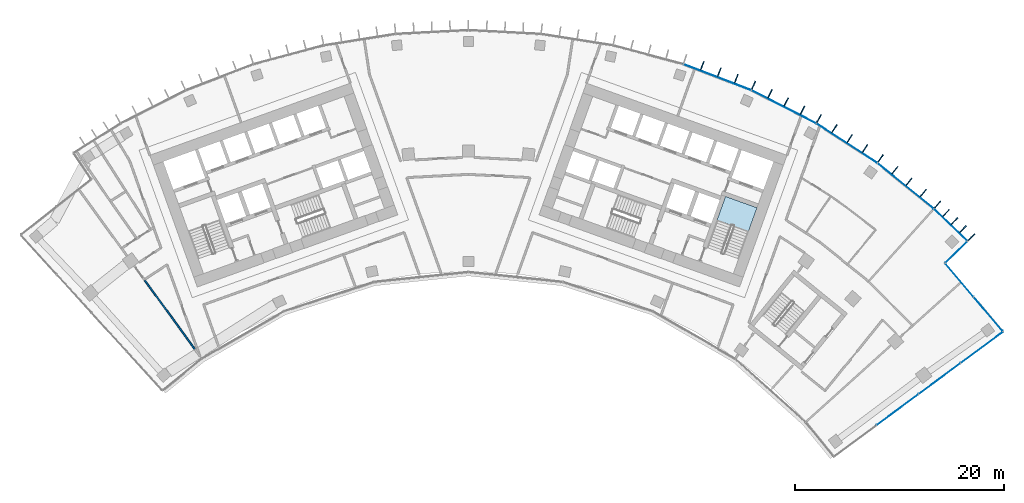
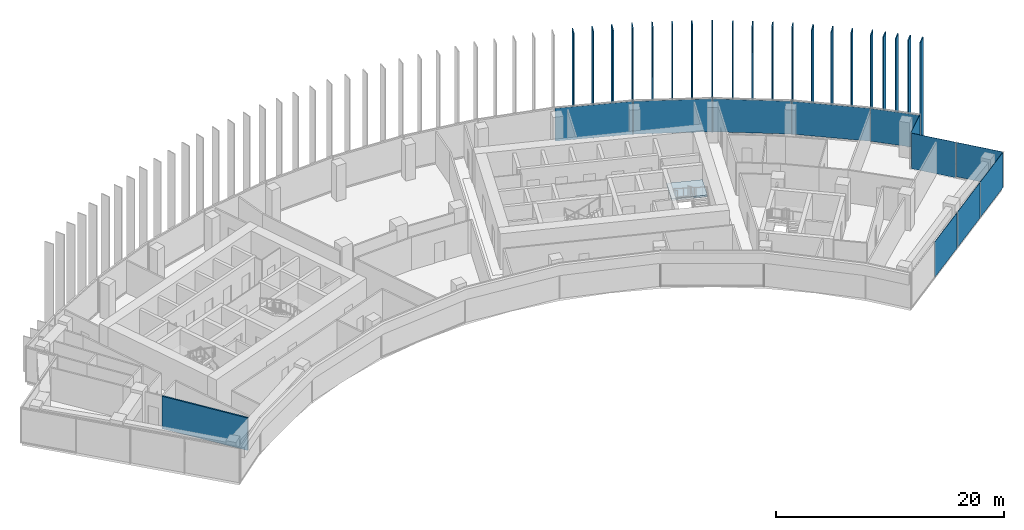
# One storey, part 12 of 19: 31 plates, 1 slab, 1 wall, 5 elements without a shape of their own.
"""IFC4 building model written with IfcOpenShell, lengths in metres."""

import ifcopenshell
import ifcopenshell.guid

model = None  # the IFC model being written
_history = None  # IfcOwnerHistory: only IFC2X3 demands one
_inside = {}  # id of a spatial element -> (the spatial element, [elements in it])
_under = {}  # id of a project, library or spatial element -> (it, [spatial elements below it])
_declared = {}  # id of a project -> (the project, [libraries it declares])
_typed = {}  # id of a type object -> (the type object, [elements of that type])
_made_of = {}  # id of a material, layer set ... -> (it, [elements and type objects made of it])


def new_model(schema):
    """Start an empty IFC model of exactly this schema.

    Asked for "IFC4X3", IfcOpenShell would pick the latest addendum, in which some entities
    have other attributes; the version numbers below select the first issue.
    IFC2X3 requires an IfcOwnerHistory on every rooted entity: one is made here for all.
    """
    global model, _history
    if schema == "IFC4X3":
        model = ifcopenshell.file(schema_version=(4, 3, 0, 0))
    else:
        model = ifcopenshell.file(schema=schema)
    _inside.clear()
    _under.clear()
    _declared.clear()
    _typed.clear()
    _made_of.clear()
    _history = None
    if model.schema == "IFC2X3":
        org = make("IfcOrganization", Name="unknown")
        user = make(
            "IfcPersonAndOrganization",
            ThePerson=make("IfcPerson", FamilyName="unknown"),
            TheOrganization=org,
        )
        app = make(
            "IfcApplication",
            ApplicationDeveloper=org,
            Version="unknown",
            ApplicationFullName="unknown",
            ApplicationIdentifier="unknown",
        )
        _history = make(
            "IfcOwnerHistory",
            OwningUser=user,
            OwningApplication=app,
            ChangeAction="ADDED",
            CreationDate=0,
        )
    return model


def make(cls, **values):
    """One entity of the class cls with the attributes given. An attribute that is None is left unset."""
    return model.create_entity(
        cls, **{name: value for name, value in values.items() if value is not None}
    )


def rooted(cls, **values):
    """An entity with a GlobalId (a new one), such as an element, a storey or a relation."""
    return make(cls, GlobalId=ifcopenshell.guid.new(), OwnerHistory=_history, **values)


def si_unit(unit_type, name, prefix=None):
    """IfcSIUnit, for example si_unit("LENGTHUNIT", "METRE", prefix="MILLI")."""
    return make("IfcSIUnit", UnitType=unit_type, Prefix=prefix, Name=name)


def assignment(units):
    """IfcUnitAssignment: the units of a project."""
    return None if units is None else make("IfcUnitAssignment", Units=units)


def point(xyz):
    """IfcCartesianPoint."""
    return None if xyz is None else make("IfcCartesianPoint", Coordinates=xyz)


def direction(xyz):
    """IfcDirection."""
    return None if xyz is None else make("IfcDirection", DirectionRatios=xyz)


def frame(location, z_axis=None, x_axis=None):
    """IfcAxis2Placement3D, a coordinate frame: its origin and axes. An axis left out is left unset."""
    return make(
        "IfcAxis2Placement3D",
        Location=point(location),
        Axis=direction(z_axis),
        RefDirection=direction(x_axis),
    )


def frame_2d(location, x_axis=None):
    """IfcAxis2Placement2D, a coordinate frame in the plane: its origin and x axis."""
    return make(
        "IfcAxis2Placement2D", Location=point(location), RefDirection=direction(x_axis)
    )


def origin():
    """The frame at (0, 0, 0) with its axes left unset."""
    return frame((0.0, 0.0, 0.0))


def origin_2d():
    """The frame at (0, 0) in the plane with its x axis left unset."""
    return frame_2d((0.0, 0.0))


def place(relative_to, where):
    """IfcLocalPlacement: puts the frame where relative to a parent placement (None: the world)."""
    return make(
        "IfcLocalPlacement", PlacementRelTo=relative_to, RelativePlacement=where
    )


def context(
    kind, dimensions, precision=None, world=None, true_north=None, identifier=None
):
    """IfcGeometricRepresentationContext, for example the 3D "Model" context."""
    return make(
        "IfcGeometricRepresentationContext",
        ContextIdentifier=identifier,
        ContextType=kind,
        CoordinateSpaceDimension=dimensions,
        Precision=precision,
        WorldCoordinateSystem=world,
        TrueNorth=true_north,
    )


def subcontext(parent, identifier, kind, view, scale=None):
    """IfcGeometricRepresentationSubContext, for example "Body" below "Model"."""
    return make(
        "IfcGeometricRepresentationSubContext",
        ContextIdentifier=identifier,
        ContextType=kind,
        ParentContext=parent,
        TargetScale=scale,
        TargetView=view,
    )


def project(units=None, contexts=None):
    """IfcProject with its units and contexts."""
    return rooted(
        "IfcProject",
        Name="project",
        RepresentationContexts=contexts,
        UnitsInContext=assignment(units),
    )


def spatial(cls, under=None, at=None, **own):
    """A site, building, storey or space (cls), placed at a placement, below another one or the project."""
    s = rooted(cls, ObjectPlacement=at, **own)
    if under is not None:
        _under.setdefault(under.id(), (under, []))[1].append(s)
    return s


def polyline(points):
    """IfcPolyline through the points."""
    return make("IfcPolyline", Points=[point(p) for p in points])


def profile(cls, at=None, kind="AREA", **sizes):
    """A parametric profile (cls). Its sizes go by their IFC names, for example OverallWidth=200.0."""
    return make(cls, ProfileType=kind, Position=at, **sizes)


def rectangle(**sizes):
    """IfcRectangleProfileDef."""
    return profile("IfcRectangleProfileDef", **sizes)


def outline(outer, holes=None, kind="AREA"):
    """IfcArbitraryClosedProfileDef: a profile drawn as a closed curve; with holes, ...WithVoids."""
    if holes is None:
        return make("IfcArbitraryClosedProfileDef", ProfileType=kind, OuterCurve=outer)
    return make(
        "IfcArbitraryProfileDefWithVoids",
        ProfileType=kind,
        OuterCurve=outer,
        InnerCurves=holes,
    )


def extrude(swept, where, along, depth):
    """IfcExtrudedAreaSolid: the profile swept, set in the frame where, extruded along a direction by depth."""
    return make(
        "IfcExtrudedAreaSolid",
        SweptArea=swept,
        Position=where,
        ExtrudedDirection=direction(along),
        Depth=depth,
    )


def shape(context_of_items, identifier, shape_type, items):
    """IfcShapeRepresentation: the items that make up one representation, for example the "Body"."""
    return make(
        "IfcShapeRepresentation",
        ContextOfItems=context_of_items,
        RepresentationIdentifier=identifier,
        RepresentationType=shape_type,
        Items=items,
    )


def material(Name=None, Category=None):
    """IfcMaterial."""
    return make("IfcMaterial", Name=Name, Category=Category)


def layer(
    of_material, thickness, ventilated=None, Name=None, Category=None, Priority=None
):
    """IfcMaterialLayer: one layer of a wall or slab, of a material (None: an air gap)."""
    return make(
        "IfcMaterialLayer",
        Material=of_material,
        LayerThickness=thickness,
        IsVentilated=ventilated,
        Name=Name,
        Category=Category,
        Priority=Priority,
    )


def layer_set(layers, Name=None):
    """IfcMaterialLayerSet."""
    return make("IfcMaterialLayerSet", MaterialLayers=layers, LayerSetName=Name)


def made_of(thing, what):
    """Note that an element or type object is made of a material, layer set ...; save() writes the relation."""
    if what is not None:
        _made_of.setdefault(what.id(), (what, []))[1].append(thing)
    return thing


def type_object(cls, material=None, **own):
    """A type object (cls), such as IfcWallType, which elements share."""
    return made_of(rooted(cls, **own), material)


def element(
    cls,
    number,
    at=None,
    inside=None,
    cuts=None,
    type_object=None,
    material=None,
    context=None,
    identifier="Body",
    shape_type=None,
    held_by="IfcProductDefinitionShape",
    body=None,
    shapes=None,
    **own,
):
    """One element of the class cls, such as IfcWall. Its Tag is "e" and its number.

    at: its placement. inside: the storey or other place that contains it. cuts: it is an
    opening in that element (IfcRelVoidsElement). A single representation is given by context,
    identifier, shape_type and body (its items); several are given by shapes. held_by: the class
    of the entity that holds the representations. save() writes the other relations.
    """
    e = rooted(cls, Tag="e%d" % number, ObjectPlacement=at, **own)
    if body is not None:
        shapes = [shape(context, identifier, shape_type, body)]
    if shapes is not None:
        e.Representation = make(held_by, Representations=shapes)
    if inside is not None:
        _inside.setdefault(inside.id(), (inside, []))[1].append(e)
    if cuts is not None:
        rooted(
            "IfcRelVoidsElement", RelatingBuildingElement=cuts, RelatedOpeningElement=e
        )
    if type_object is not None:
        _typed.setdefault(type_object.id(), (type_object, []))[1].append(e)
    return made_of(e, material)


def aggregate(whole, parts):
    """IfcRelAggregates: a whole, such as a stair, and the parts it consists of."""
    return rooted("IfcRelAggregates", RelatingObject=whole, RelatedObjects=parts)


def save(model, path):
    """Write the relations noted so far, then the file.

    IfcRelAggregates (storeys below a building ...), IfcRelContainedInSpatialStructure (elements
    in a storey), IfcRelDefinesByType, IfcRelAssociatesMaterial and IfcRelDeclares: one each for
    every whole, place, type object, material and project.
    """
    for whole, parts in _under.values():
        aggregate(whole, parts)
    for where, things in _inside.values():
        rooted(
            "IfcRelContainedInSpatialStructure",
            RelatedElements=things,
            RelatingStructure=where,
        )
    for kind, things in _typed.values():
        rooted("IfcRelDefinesByType", RelatedObjects=things, RelatingType=kind)
    for what, things in _made_of.values():
        rooted("IfcRelAssociatesMaterial", RelatedObjects=things, RelatingMaterial=what)
    for by, libraries in _declared.values():
        rooted("IfcRelDeclares", RelatingContext=by, RelatedDefinitions=libraries)
    model.write(path)


model = new_model("IFC4")

# Units and contexts
model_context = context("Model", 3, precision=1e-05, world=origin(), true_north=direction((0.0, 1.0)))
body_context = subcontext(model_context, "Body", "Model", "MODEL_VIEW")
ifc_project = project(units=[si_unit("LENGTHUNIT", "METRE"), si_unit("AREAUNIT", "SQUARE_METRE"), si_unit("VOLUMEUNIT", "CUBIC_METRE"), si_unit("PLANEANGLEUNIT", "RADIAN"), si_unit("MASSUNIT", "GRAM", prefix="KILO")], contexts=[model_context])

# Site, building, storey
site_placement = place(None, origin())
site = spatial("IfcSite", under=ifc_project, at=site_placement, CompositionType="ELEMENT")
building_placement = place(site_placement, origin())
building = spatial("IfcBuilding", under=site, at=building_placement, Name="Stone Belt Terrace Tower", CompositionType="ELEMENT")
storey_placement = place(building_placement, frame((0.0, 0.0, 235.199951171875)))
storey = spatial("IfcBuildingStorey", under=building, at=storey_placement, Name="L57", CompositionType="ELEMENT", Elevation=235.199951171875)

# Curtain wall, plates
ifc_material_1 = material(Name="Aluminium 6063-T6 anodised frame", Category="aluminium")
ifc_layer_1 = layer(ifc_material_1, 0.14990234375)
ifc_layer_set_1 = layer_set([ifc_layer_1], Name="CW-A unitised convex-face curtain wall")
curtain_wall_type_1 = type_object("IfcCurtainWallType", Name="CW-A unitised convex-face curtain wall", PredefinedType="NOTDEFINED", material=ifc_layer_set_1)
curtain_wall_1_placement = place(storey_placement, origin())
curtain_wall_1 = element("IfcCurtainWall", 1, at=curtain_wall_1_placement, inside=storey, type_object=curtain_wall_type_1, Name="CW-A convex face L57", PredefinedType="NOTDEFINED")
ifc_material_2 = material(Name="Clear double glazed unit")
ifc_layer_2 = layer(ifc_material_2, 0.031982421875)
ifc_layer_set_2 = layer_set([ifc_layer_2], Name="CW-A glass panel 32")
plate_type_1 = type_object("IfcPlateType", Name="CW-A glass panel 32", PredefinedType="CURTAIN_PANEL", material=ifc_layer_set_2)
plate_1_placement = place(storey_placement, frame((46.14599609375, 47.936767578125, 0.14013671875), z_axis=(0.0, 0.0, 1.0), x_axis=(-0.720604393579, 0.693346455933, 0.0)))
plate_1 = element("IfcPlate", 2, at=plate_1_placement, type_object=plate_type_1, Name="CW-A panel 1.1", PredefinedType="CURTAIN_PANEL", context=body_context, shape_type="SweptSolid", body=[
    extrude(rectangle(XDim=4.372314453125, YDim=0.031982421875, at=origin_2d()), origin(), (0.0, 0.0, 1.0), 3.52001953125),
])
plate_2_placement = place(storey_placement, frame((41.839599609375, 51.667724609375, 0.14013671875), z_axis=(0.0, 0.0, 1.0), x_axis=(-0.777145961457, 0.62932039105, 0.0)))
plate_2 = element("IfcPlate", 3, at=plate_2_placement, type_object=plate_type_1, Name="CW-A panel 2.1", PredefinedType="CURTAIN_PANEL", context=body_context, shape_type="SweptSolid", body=[
    extrude(rectangle(XDim=6.90087890625, YDim=0.031982421875, at=origin_2d()), origin(), (0.0, 0.0, 1.0), 3.52001953125),
])
plate_3_placement = place(storey_placement, frame((36.209716796875, 55.758056640625, 0.14013671875), z_axis=(0.0, 0.0, 1.0), x_axis=(-0.838670567945, 0.544639035015, 0.0)))
plate_3 = element("IfcPlate", 4, at=plate_3_placement, type_object=plate_type_1, Name="CW-A panel 3.1", PredefinedType="CURTAIN_PANEL", context=body_context, shape_type="SweptSolid", body=[
    extrude(rectangle(XDim=6.90087890625, YDim=0.031982421875, at=origin_2d()), origin(), (0.0, 0.0, 1.0), 3.52001953125),
])
plate_4_placement = place(storey_placement, frame((30.18310546875, 59.237548828125, 0.14013671875), z_axis=(0.0, 0.0, 1.0), x_axis=(-0.891006524188, 0.45399049974, 0.0)))
plate_4 = element("IfcPlate", 5, at=plate_4_placement, type_object=plate_type_1, Name="CW-A panel 4.1", PredefinedType="CURTAIN_PANEL", context=body_context, shape_type="SweptSolid", body=[
    extrude(rectangle(XDim=6.90087890625, YDim=0.031982421875, at=origin_2d()), origin(), (0.0, 0.0, 1.0), 3.52001953125),
])
plate_5_placement = place(storey_placement, frame((23.82568359375, 62.068115234375, 0.14013671875), z_axis=(0.0, 0.0, 1.0), x_axis=(-0.933580426497, 0.358367949545, 0.0)))
plate_5 = element("IfcPlate", 6, at=plate_5_placement, type_object=plate_type_1, Name="CW-A panel 5.1", PredefinedType="CURTAIN_PANEL", context=body_context, shape_type="SweptSolid", body=[
    extrude(rectangle(XDim=6.90087890625, YDim=0.031982421875, at=origin_2d()), origin(), (0.0, 0.0, 1.0), 3.52001953125),
])
aggregate(curtain_wall_1, [plate_1, plate_2, plate_3, plate_4, plate_5])

ifc_layer_3 = layer(ifc_material_1, 0.14990234375)
ifc_layer_set_3 = layer_set([ifc_layer_3], Name="CW-C stick curtain wall, horn ends and notches")
curtain_wall_type_2 = type_object("IfcCurtainWallType", Name="CW-C stick curtain wall, horn ends and notches", PredefinedType="NOTDEFINED", material=ifc_layer_set_3)
curtain_wall_2_placement = place(storey_placement, origin())
curtain_wall_2 = element("IfcCurtainWall", 7, at=curtain_wall_2_placement, inside=storey, type_object=curtain_wall_type_2, Name="CW-C end face L57", PredefinedType="NOTDEFINED")
ifc_layer_4 = layer(ifc_material_2, 0.028076171875)
ifc_layer_set_4 = layer_set([ifc_layer_4], Name="CW-C glass panel 28")
plate_type_2 = type_object("IfcPlateType", Name="CW-C glass panel 28", PredefinedType="CURTAIN_PANEL", material=ifc_layer_set_4)
plate_6_placement = place(storey_placement, frame((41.0654296875, 30.2431640625, 0.0), z_axis=(0.0, 0.0, 1.0), x_axis=(0.804329077539, 0.594184091865, 0.0)))
plate_6 = element("IfcPlate", 8, at=plate_6_placement, type_object=plate_type_2, Name="CW-C panel 2.1", PredefinedType="CURTAIN_PANEL", context=body_context, shape_type="SweptSolid", body=[
    extrude(rectangle(XDim=4.93994140625, YDim=0.028076171875, at=origin_2d()), origin(), (0.0, 0.0, 1.0), 3.800048828125),
])
plate_7_placement = place(storey_placement, frame((45.0869140625, 33.2138671875, 0.0), z_axis=(0.0, 0.0, 1.0), x_axis=(0.804329077539, 0.594184091865, 0.0)))
plate_7 = element("IfcPlate", 9, at=plate_7_placement, type_object=plate_type_2, Name="CW-C panel 3.1", PredefinedType="CURTAIN_PANEL", context=body_context, shape_type="SweptSolid", body=[
    extrude(rectangle(XDim=4.93994140625, YDim=0.028076171875, at=origin_2d()), origin(), (0.0, 0.0, 1.0), 3.800048828125),
])
plate_8_placement = place(storey_placement, frame((49.122802734375, 36.1953125, 0.0), z_axis=(0.0, 0.0, 1.0), x_axis=(0.804329077539, 0.594184091865, 0.0)))
plate_8 = element("IfcPlate", 10, at=plate_8_placement, type_object=plate_type_2, Name="CW-C panel 4.1", PredefinedType="CURTAIN_PANEL", context=body_context, shape_type="SweptSolid", body=[
    extrude(rectangle(XDim=4.974853515625, YDim=0.028076171875, at=origin_2d()), origin(), (0.0, 0.0, 1.0), 3.800048828125),
])
aggregate(curtain_wall_2, [plate_6, plate_7, plate_8])

curtain_wall_3_placement = place(storey_placement, origin())
curtain_wall_3 = element("IfcCurtainWall", 11, at=curtain_wall_3_placement, inside=storey, type_object=curtain_wall_type_2, Name="CW-C notch face L57", PredefinedType="NOTDEFINED")
plate_9_placement = place(storey_placement, frame((49.75390625, 39.402587890625, 0.1201171875), z_axis=(0.0, 0.0, 1.0), x_axis=(-0.647210945735, 0.762310954743, 0.0)))
plate_9 = element("IfcPlate", 12, at=plate_9_placement, type_object=plate_type_2, Name="CW-C panel 1.1", PredefinedType="CURTAIN_PANEL", context=body_context, shape_type="SweptSolid", body=[
    extrude(rectangle(XDim=4.268798828125, YDim=0.028076171875, at=origin_2d()), origin(), (0.0, 0.0, 1.0), 3.679931640625),
])
plate_10_placement = place(storey_placement, frame((47.000244140625, 42.645751953125, 0.0), z_axis=(0.0, 0.0, 1.0), x_axis=(-0.647210945735, 0.762310954743, 0.0)))
plate_10 = element("IfcPlate", 13, at=plate_10_placement, type_object=plate_type_2, Name="CW-C panel 2.1", PredefinedType="CURTAIN_PANEL", context=body_context, shape_type="SweptSolid", body=[
    extrude(rectangle(XDim=4.12060546875, YDim=0.028076171875, at=origin_2d()), origin(), (0.0, 0.0, 1.0), 3.800048828125),
])
aggregate(curtain_wall_3, [plate_9, plate_10])

# Curtain wall, plate
curtain_wall_4_placement = place(storey_placement, origin())
curtain_wall_4 = element("IfcCurtainWall", 14, at=curtain_wall_4_placement, inside=storey, type_object=curtain_wall_type_2, Name="CW-C notch face L57", PredefinedType="NOTDEFINED")
plate_11_placement = place(storey_placement, frame((46.69677734375, 45.320068359375, 0.1201171875), z_axis=(0.0, 0.0, 1.0), x_axis=(0.71680345276, 0.697275275707, 0.0)))
plate_11 = element("IfcPlate", 15, at=plate_11_placement, type_object=plate_type_2, Name="CW-C panel 1.1", PredefinedType="CURTAIN_PANEL", context=body_context, shape_type="SweptSolid", body=[
    extrude(rectangle(XDim=2.859619140625, YDim=0.028076171875, at=origin_2d()), origin(), (0.0, 0.0, 1.0), 3.679931640625),
])
aggregate(curtain_wall_4, [plate_11])

# Stair, slab
ifc_material_3 = material(Name="Concrete B40", Category="concrete")
stair_type = type_object("IfcStairType", Name="Exit stair 1500", PredefinedType="HALF_TURN_STAIR", material=ifc_material_3)
stair_placement = place(storey_placement, origin())
stair = element("IfcStair", 16, at=stair_placement, inside=storey, type_object=stair_type, Name="L57 Exit stair 1 core B", PredefinedType="HALF_TURN_STAIR")
ifc_layer_5 = layer(ifc_material_3, 0.199951171875)
ifc_layer_set_5 = layer_set([ifc_layer_5], Name="Stair landing 200")
slab_type = type_object("IfcSlabType", Name="Stair landing 200", PredefinedType="LANDING", material=ifc_layer_set_5)
slab_placement = place(storey_placement, frame((0.0, 0.0, 1.699951171875)))
slab = element("IfcSlab", 17, at=slab_placement, type_object=slab_type, Name="ST1B landing 1", PredefinedType="LANDING", context=body_context, shape_type="SweptSolid", body=[
    extrude(outline(polyline([(26.806396484375, 47.3173828125), (27.619384765625, 49.576171875), (24.6083984375, 50.659912109375), (23.79541015625, 48.40087890625), (26.806396484375, 47.3173828125)])), origin(), (0.0, 0.0, 1.0), 0.2001953125),
])
aggregate(stair, [slab])

# Plates
ifc_material_4 = material(Name="Terracotta coloured glazed ceramic", Category="masonry")
ifc_layer_6 = layer(ifc_material_4, 0.10009765625)
ifc_layer_set_6 = layer_set([ifc_layer_6], Name="Terracotta fin 100 x 900")
plate_type_3 = type_object("IfcPlateType", Name="Terracotta fin 100 x 900", PredefinedType="SHEET", material=ifc_layer_set_6)
for number, where, z_axis, x_axis, name in (
    (18, (48.139404296875, 46.747314453125, 0.0), (0.0, 0.0, 1.0), (0.693346455933, 0.720604393579, 0.0), "FIN L57 1.1"),
    (19, (47.332275390625, 47.52392578125, 0.0), (0.0, 0.0, 1.0), (0.693346455933, 0.720604393579, 0.0), "FIN L57 1.2"),
    (20, (46.525146484375, 48.300537109375, 0.0), (0.0, 0.0, 1.0), (0.693346455933, 0.720604393579, 0.0), "FIN L57 1.3"),
    (21, (45.718017578125, 49.0771484375, 0.0), (0.0, 0.0, 1.0), (0.693346455933, 0.720604393579, 0.0), "FIN L57 1.4"),
    (22, (44.894287109375, 49.868896484375, 0.0), (0.0, 0.0, 1.0), (0.661937409618, 0.749559114245, 0.0), "FIN L57 2.1"),
    (23, (43.5234375, 50.979736328125, 0.0), (0.0, 0.0, 1.0), (0.62932039105, 0.777145961457, 0.0), "FIN L57 2.2"),
    (24, (42.169677734375, 52.075927734375, 0.0), (0.0, 0.0, 1.0), (0.62932039105, 0.777145961457, 0.0), "FIN L57 2.3"),
    (25, (40.81591796875, 53.172119140625, 0.0), (0.0, 0.0, 1.0), (0.62932039105, 0.777145961457, 0.0), "FIN L57 2.4"),
    (26, (39.4404296875, 54.28515625, 0.0), (0.0, 0.0, 1.0), (0.587785252292, 0.809016994375, 0.0), "FIN L57 3.1"),
    (27, (37.956787109375, 55.24951171875, 0.0), (0.0, 0.0, 1.0), (0.544639035015, 0.838670567945, 0.0), "FIN L57 3.2"),
    (28, (36.49560546875, 56.1982421875, 0.0), (0.0, 0.0, 1.0), (0.544639035015, 0.838670567945, 0.0), "FIN L57 3.3"),
    (29, (35.03466796875, 57.147216796875, 0.0), (0.0, 0.0, 1.0), (0.544639035015, 0.838670567945, 0.0), "FIN L57 3.4"),
    (30, (33.550048828125, 58.1103515625, 0.0), (0.0, 0.0, 1.0), (0.5, 0.866025403784, 0.0), "FIN L57 4.1"),
    (31, (31.9736328125, 58.914306640625, 0.0), (0.0, 0.0, 1.0), (0.45399049974, 0.891006524188, 0.0), "FIN L57 4.2"),
    (32, (30.42138671875, 59.705322265625, 0.0), (0.0, 0.0, 1.0), (0.45399049974, 0.891006524188, 0.0), "FIN L57 4.3"),
    (33, (28.869140625, 60.496337890625, 0.0), (0.0, 0.0, 1.0), (0.45399049974, 0.891006524188, 0.0), "FIN L57 4.4"),
    (34, (27.2919921875, 61.299072265625, 0.0), (0.0, 0.0, 1.0), (0.406736643076, 0.913545457643, 0.0), "FIN L57 5.1"),
    (35, (25.64013671875, 61.933837890625, 0.0), (0.0, 0.0, 1.0), (0.358367949545, 0.933580426497, 0.0), "FIN L57 5.2"),
    (36, (24.013916015625, 62.55810546875, 0.0), (0.0, 0.0, 1.0), (0.358367949545, 0.933580426497, 0.0), "FIN L57 5.3"),
    (37, (22.387451171875, 63.182373046875, 0.0), (0.0, 0.0, 1.0), (0.358367949545, 0.933580426497, 0.0), "FIN L57 5.4"),
):
    element("IfcPlate", number, at=place(storey_placement, frame(where, z_axis=z_axis, x_axis=x_axis)), inside=storey, type_object=plate_type_3, Name=name, PredefinedType="SHEET", context=body_context, shape_type="SweptSolid", body=[
        extrude(rectangle(XDim=0.89990234375, YDim=0.10009765625, at=origin_2d()), origin(), (0.0, 0.0, 1.0), 11.39990234375),
    ])

# Wall
ifc_material_5 = material(Name="Gypsum board partition")
ifc_layer_7 = layer(ifc_material_5, 0.14990234375)
ifc_layer_set_7 = layer_set([ifc_layer_7], Name="PARTITION 150 EI 60")
wall_type = type_object("IfcWallType", Name="PARTITION 150 EI 60", PredefinedType="PARTITIONING", material=ifc_layer_set_7)
wall_placement = place(storey_placement, frame((-31.02392578125, 42.699951171875, 0.0), z_axis=(0.0, 0.0, 1.0), x_axis=(0.587863138497, -0.808960401006, 0.0)))
element("IfcWall", 38, at=wall_placement, inside=storey, type_object=wall_type, Name="L57/wall/i033-1", PredefinedType="PARTITIONING", context=body_context, shape_type="SweptSolid", body=[
    extrude(rectangle(XDim=8.234130859375, YDim=0.14990234375, at=frame_2d((4.1171875, 0.0))), origin(), (0.0, 0.0, 1.0), 3.47998046875),
])

save(model, "model.ifc")
